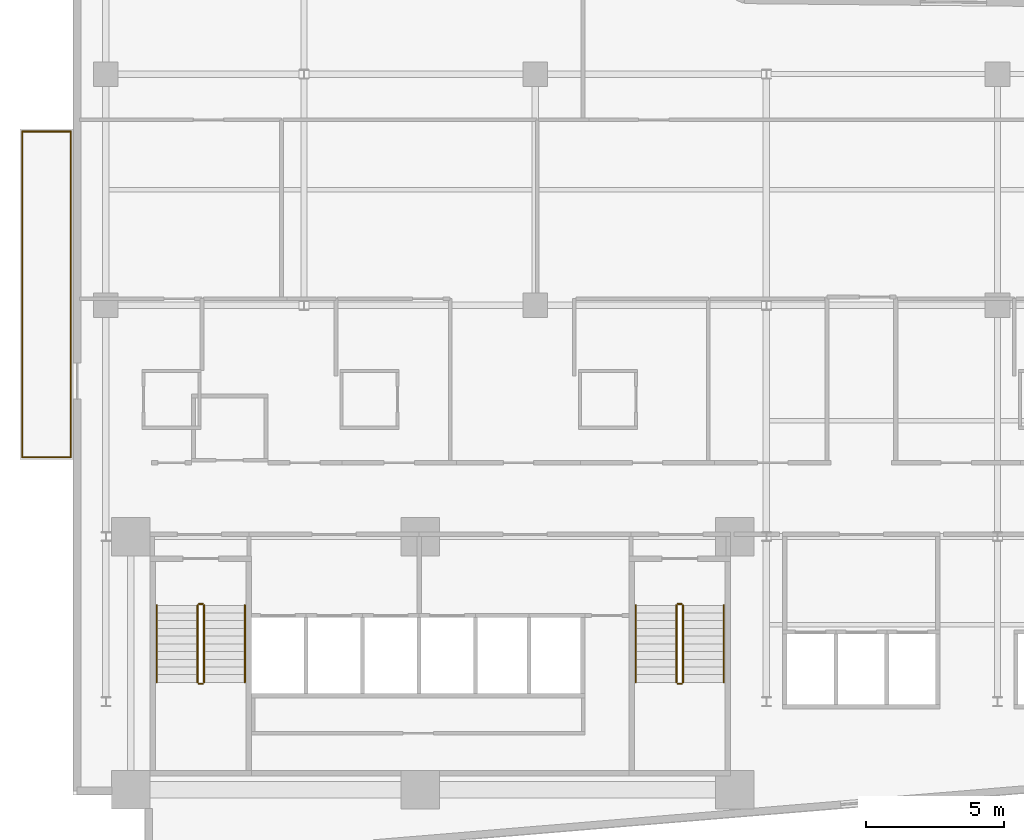
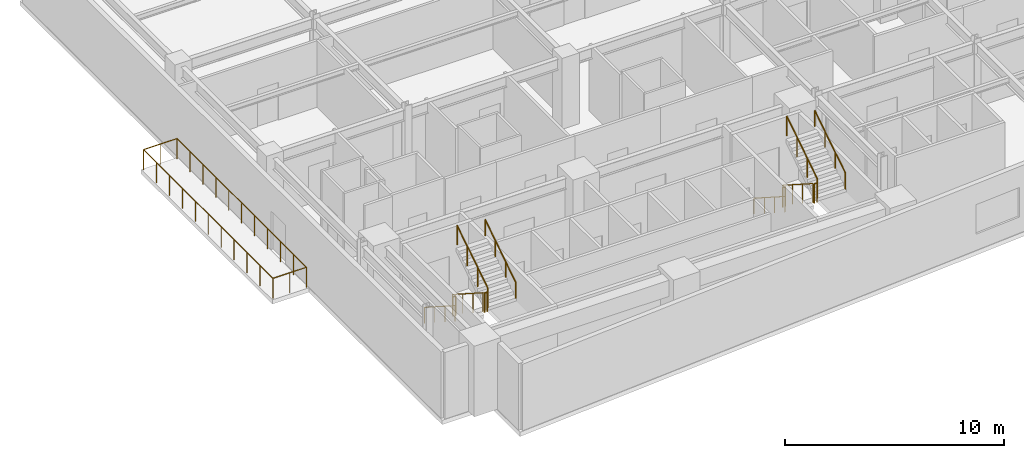
# One storey, part 17 of 20: 16 railings.
"""IFC4 building model written with IfcOpenShell, lengths in metres."""

from ifc_helpers import new_model, si_unit, direction, frame, origin, origin_2d, place, context, subcontext, project, spatial, circle, extrude, material, type_object, element, save


model = new_model("IFC4")

# Units and contexts
model_context = context("Model", 3, precision=1e-05, world=origin(), true_north=direction((0.0, 1.0)))
body_context = subcontext(model_context, "Body", "Model", "MODEL_VIEW")
ifc_project = project(units=[si_unit("LENGTHUNIT", "METRE"), si_unit("AREAUNIT", "SQUARE_METRE"), si_unit("VOLUMEUNIT", "CUBIC_METRE"), si_unit("PLANEANGLEUNIT", "RADIAN"), si_unit("MASSUNIT", "GRAM", prefix="KILO")], contexts=[model_context])

# Site, building, storey
site_placement = place(None, origin())
site = spatial("IfcSite", under=ifc_project, at=site_placement, CompositionType="ELEMENT")
building_placement = place(site_placement, origin())
building = spatial("IfcBuilding", under=site, at=building_placement, Name="Varnakote Quay Hospital", CompositionType="ELEMENT")
storey_placement = place(building_placement, frame((0.0, 0.0, 26.449951171875)))
storey = spatial("IfcBuildingStorey", under=building, at=storey_placement, Name="L06", CompositionType="ELEMENT", Elevation=26.449951171875)

# Railings
ifc_material_1 = material(Name="Anodised aluminium 6063-T6 Bronze", Category="aluminium")
railing_type_1 = type_object("IfcRailingType", Name="RLG-EXT-GUARD-1150", PredefinedType="GUARDRAIL", material=ifc_material_1)
railing_1_placement = place(storey_placement, frame((-0.075927734375, 14.8798828125, 0.0)))
element("IfcRailing", 1, at=railing_1_placement, inside=storey, type_object=railing_type_1, Name="L06 Zigzag Prow Healing Terrace Safety Guard", PredefinedType="GUARDRAIL", context=body_context, shape_type="SweptSolid", body=[
    extrude(circle(Radius=0.02392578125, at=origin_2d()), frame((0.0, 0.0, 1.1259765625), z_axis=(-1.0, 0.0, 0.0), x_axis=(0.0, -1.0, 0.0)), (0.0, 0.0, 1.0), 1.76416015625),
    extrude(circle(Radius=0.02099609375, at=origin_2d()), origin(), (0.0, 0.0, 1.0), 1.101806640625),
    extrude(circle(Radius=0.02099609375, at=origin_2d()), frame((-0.882080078125, 0.0, 0.0)), (0.0, 0.0, 1.0), 1.101806640625),
    extrude(circle(Radius=0.02099609375, at=origin_2d()), frame((-1.76416015625, 0.0, 0.0)), (0.0, 0.0, 1.0), 1.101806640625),
])
railing_2_placement = place(storey_placement, frame((-1.840087890625, 14.8798828125, 0.0)))
element("IfcRailing", 2, at=railing_2_placement, inside=storey, type_object=railing_type_1, Name="L06 Zigzag Prow Healing Terrace Safety Guard", PredefinedType="GUARDRAIL", context=body_context, shape_type="SweptSolid", body=[
    extrude(circle(Radius=0.02392578125, at=origin_2d()), frame((0.0, 0.0, 1.1259765625), z_axis=(0.0, 1.0, 0.0), x_axis=(-1.0, 0.0, 0.0)), (0.0, 0.0, 1.0), 11.840087890625),
    extrude(circle(Radius=0.02099609375, at=origin_2d()), origin(), (0.0, 0.0, 1.0), 1.101806640625),
    extrude(circle(Radius=0.02099609375, at=origin_2d()), frame((0.0, 1.18408203125, 0.0)), (0.0, 0.0, 1.0), 1.101806640625),
    extrude(circle(Radius=0.02099609375, at=origin_2d()), frame((0.0, 2.367919921875, 0.0)), (0.0, 0.0, 1.0), 1.101806640625),
    extrude(circle(Radius=0.02099609375, at=origin_2d()), frame((0.0, 3.552001953125, 0.0)), (0.0, 0.0, 1.0), 1.101806640625),
    extrude(circle(Radius=0.02099609375, at=origin_2d()), frame((0.0, 4.736083984375, 0.0)), (0.0, 0.0, 1.0), 1.101806640625),
    extrude(circle(Radius=0.02099609375, at=origin_2d()), frame((0.0, 5.919921875, 0.0)), (0.0, 0.0, 1.0), 1.101806640625),
    extrude(circle(Radius=0.02099609375, at=origin_2d()), frame((0.0, 7.10400390625, 0.0)), (0.0, 0.0, 1.0), 1.101806640625),
    extrude(circle(Radius=0.02099609375, at=origin_2d()), frame((0.0, 8.2880859375, 0.0)), (0.0, 0.0, 1.0), 1.101806640625),
    extrude(circle(Radius=0.02099609375, at=origin_2d()), frame((0.0, 9.47216796875, 0.0)), (0.0, 0.0, 1.0), 1.101806640625),
    extrude(circle(Radius=0.02099609375, at=origin_2d()), frame((0.0, 10.656005859375, 0.0)), (0.0, 0.0, 1.0), 1.101806640625),
    extrude(circle(Radius=0.02099609375, at=origin_2d()), frame((0.0, 11.840087890625, 0.0)), (0.0, 0.0, 1.0), 1.101806640625),
])
railing_3_placement = place(storey_placement, frame((-1.840087890625, 26.719970703125, 0.0)))
element("IfcRailing", 3, at=railing_3_placement, inside=storey, type_object=railing_type_1, Name="L06 Zigzag Prow Healing Terrace Safety Guard", PredefinedType="GUARDRAIL", context=body_context, shape_type="SweptSolid", body=[
    extrude(circle(Radius=0.02392578125, at=origin_2d()), frame((0.0, 0.0, 1.1259765625), z_axis=(1.0, 0.0, 0.0), x_axis=(0.0, 1.0, 0.0)), (0.0, 0.0, 1.0), 1.76416015625),
    extrude(circle(Radius=0.02099609375, at=origin_2d()), origin(), (0.0, 0.0, 1.0), 1.101806640625),
    extrude(circle(Radius=0.02099609375, at=origin_2d()), frame((0.882080078125, 0.0, 0.0)), (0.0, 0.0, 1.0), 1.101806640625),
    extrude(circle(Radius=0.02099609375, at=origin_2d()), frame((1.76416015625, 0.0, 0.0)), (0.0, 0.0, 1.0), 1.101806640625),
])
railing_4_placement = place(storey_placement, frame((-0.075927734375, 26.719970703125, 0.0)))
element("IfcRailing", 4, at=railing_4_placement, inside=storey, type_object=railing_type_1, Name="L06 Zigzag Prow Healing Terrace Safety Guard", PredefinedType="GUARDRAIL", context=body_context, shape_type="SweptSolid", body=[
    extrude(circle(Radius=0.02392578125, at=origin_2d()), frame((0.0, 0.0, 1.1259765625), z_axis=(0.0, -1.0, 0.0), x_axis=(1.0, 0.0, 0.0)), (0.0, 0.0, 1.0), 11.840087890625),
    extrude(circle(Radius=0.02099609375, at=origin_2d()), origin(), (0.0, 0.0, 1.0), 1.101806640625),
    extrude(circle(Radius=0.02099609375, at=origin_2d()), frame((0.0, -1.18408203125, 0.0)), (0.0, 0.0, 1.0), 1.101806640625),
    extrude(circle(Radius=0.02099609375, at=origin_2d()), frame((0.0, -2.367919921875, 0.0)), (0.0, 0.0, 1.0), 1.101806640625),
    extrude(circle(Radius=0.02099609375, at=origin_2d()), frame((0.0, -3.552001953125, 0.0)), (0.0, 0.0, 1.0), 1.101806640625),
    extrude(circle(Radius=0.02099609375, at=origin_2d()), frame((0.0, -4.736083984375, 0.0)), (0.0, 0.0, 1.0), 1.101806640625),
    extrude(circle(Radius=0.02099609375, at=origin_2d()), frame((0.0, -5.919921875, 0.0)), (0.0, 0.0, 1.0), 1.101806640625),
    extrude(circle(Radius=0.02099609375, at=origin_2d()), frame((0.0, -7.10400390625, 0.0)), (0.0, 0.0, 1.0), 1.101806640625),
    extrude(circle(Radius=0.02099609375, at=origin_2d()), frame((0.0, -8.2880859375, 0.0)), (0.0, 0.0, 1.0), 1.101806640625),
    extrude(circle(Radius=0.02099609375, at=origin_2d()), frame((0.0, -9.47216796875, 0.0)), (0.0, 0.0, 1.0), 1.101806640625),
    extrude(circle(Radius=0.02099609375, at=origin_2d()), frame((0.0, -10.656005859375, 0.0)), (0.0, 0.0, 1.0), 1.101806640625),
    extrude(circle(Radius=0.02099609375, at=origin_2d()), frame((0.0, -11.840087890625, 0.0)), (0.0, 0.0, 1.0), 1.101806640625),
])
ifc_material_2 = material(Name="Brushed stainless steel balustrade", Category="steel")
railing_type_2 = type_object("IfcRailingType", Name="RLG-STAIR-GUARD-1150", PredefinedType="GUARDRAIL", material=ifc_material_2)
railing_5_placement = place(storey_placement, frame((4.530029296875, 9.5, 0.1796875)))
element("IfcRailing", 5, at=railing_5_placement, inside=storey, type_object=railing_type_2, Name="L06 ST-01 stair guard 1", PredefinedType="GUARDRAIL", context=body_context, shape_type="SweptSolid", body=[
    extrude(circle(Radius=0.02392578125, at=origin_2d()), frame((0.0, 0.0, 1.076171875), z_axis=(0.0, -0.841809871826, 0.539774156196), x_axis=(1.0, 0.0, 0.0)), (0.0, 0.0, 1.0), 3.326171875),
    extrude(circle(Radius=0.02099609375, at=origin_2d()), origin(), (0.0, 0.0, 1.0), 1.052001953125),
    extrude(circle(Radius=0.02099609375, at=origin_2d()), frame((0.0, -0.933349609375, 0.598388671875)), (0.0, 0.0, 1.0), 1.052001953125),
    extrude(circle(Radius=0.02099609375, at=origin_2d()), frame((0.0, -1.86669921875, 1.197021484375)), (0.0, 0.0, 1.0), 1.052001953125),
    extrude(circle(Radius=0.02099609375, at=origin_2d()), frame((0.0, -2.800048828125, 1.79541015625)), (0.0, 0.0, 1.0), 1.052001953125),
])
railing_6_placement = place(storey_placement, frame((4.580078125, 6.64990234375, 1.97509765625)))
element("IfcRailing", 6, at=railing_6_placement, inside=storey, type_object=railing_type_2, Name="L06 ST-01 stair guard 2", PredefinedType="GUARDRAIL", context=body_context, shape_type="SweptSolid", body=[
    extrude(circle(Radius=0.02392578125, at=origin_2d()), frame((0.0, 0.0, 1.076171875), z_axis=(1.0, 0.0, 0.0), x_axis=(0.0, 1.0, 0.0)), (0.0, 0.0, 1.0), 0.139892578125),
    extrude(circle(Radius=0.02099609375, at=origin_2d()), origin(), (0.0, 0.0, 1.0), 1.052001953125),
    extrude(circle(Radius=0.02099609375, at=origin_2d()), frame((0.139892578125, 0.0, 0.0)), (0.0, 0.0, 1.0), 1.052001953125),
])
railing_7_placement = place(storey_placement, frame((4.77001953125, 6.699951171875, 2.154541015625)))
element("IfcRailing", 7, at=railing_7_placement, inside=storey, type_object=railing_type_2, Name="L06 ST-01 stair guard 3", PredefinedType="GUARDRAIL", context=body_context, shape_type="SweptSolid", body=[
    extrude(circle(Radius=0.02392578125, at=origin_2d()), frame((0.0, 0.0, 1.076171875), z_axis=(0.0, 0.841809871826, 0.539774156196), x_axis=(-1.0, 0.0, 0.0)), (0.0, 0.0, 1.0), 3.326171875),
    extrude(circle(Radius=0.02099609375, at=origin_2d()), origin(), (0.0, 0.0, 1.0), 1.052001953125),
    extrude(circle(Radius=0.02099609375, at=origin_2d()), frame((0.0, 0.933349609375, 0.598388671875)), (0.0, 0.0, 1.0), 1.052001953125),
    extrude(circle(Radius=0.02099609375, at=origin_2d()), frame((0.0, 1.86669921875, 1.197021484375)), (0.0, 0.0, 1.0), 1.052001953125),
    extrude(circle(Radius=0.02099609375, at=origin_2d()), frame((0.0, 2.800048828125, 1.79541015625)), (0.0, 0.0, 1.0), 1.052001953125),
])
railing_8_placement = place(storey_placement, frame((4.580078125, 9.550048828125, 0.0)))
element("IfcRailing", 8, at=railing_8_placement, inside=storey, type_object=railing_type_2, Name="L06 ST-01 stair guard 4", PredefinedType="GUARDRAIL", context=body_context, shape_type="SweptSolid", body=[
    extrude(circle(Radius=0.02392578125, at=origin_2d()), frame((0.0, 0.0, 1.076171875), z_axis=(1.0, 0.0, 0.0), x_axis=(0.0, 1.0, 0.0)), (0.0, 0.0, 1.0), 0.139892578125),
    extrude(circle(Radius=0.02099609375, at=origin_2d()), origin(), (0.0, 0.0, 1.0), 1.052001953125),
    extrude(circle(Radius=0.02099609375, at=origin_2d()), frame((0.139892578125, 0.0, 0.0)), (0.0, 0.0, 1.0), 1.052001953125),
])
railing_9_placement = place(storey_placement, frame((21.929931640625, 9.5, 0.1796875)))
element("IfcRailing", 9, at=railing_9_placement, inside=storey, type_object=railing_type_2, Name="L06 ST-02 stair guard 1", PredefinedType="GUARDRAIL", context=body_context, shape_type="SweptSolid", body=[
    extrude(circle(Radius=0.02392578125, at=origin_2d()), frame((0.0, 0.0, 1.076171875), z_axis=(0.0, -0.841809871826, 0.539774156196), x_axis=(1.0, 0.0, 0.0)), (0.0, 0.0, 1.0), 3.326171875),
    extrude(circle(Radius=0.02099609375, at=origin_2d()), origin(), (0.0, 0.0, 1.0), 1.052001953125),
    extrude(circle(Radius=0.02099609375, at=origin_2d()), frame((0.0, -0.933349609375, 0.598388671875)), (0.0, 0.0, 1.0), 1.052001953125),
    extrude(circle(Radius=0.02099609375, at=origin_2d()), frame((0.0, -1.86669921875, 1.197021484375)), (0.0, 0.0, 1.0), 1.052001953125),
    extrude(circle(Radius=0.02099609375, at=origin_2d()), frame((0.0, -2.800048828125, 1.79541015625)), (0.0, 0.0, 1.0), 1.052001953125),
])
railing_10_placement = place(storey_placement, frame((21.97998046875, 6.64990234375, 1.97509765625)))
element("IfcRailing", 10, at=railing_10_placement, inside=storey, type_object=railing_type_2, Name="L06 ST-02 stair guard 2", PredefinedType="GUARDRAIL", context=body_context, shape_type="SweptSolid", body=[
    extrude(circle(Radius=0.02392578125, at=origin_2d()), frame((0.0, 0.0, 1.076171875), z_axis=(1.0, 0.0, 0.0), x_axis=(0.0, 1.0, 0.0)), (0.0, 0.0, 1.0), 0.14013671875),
    extrude(circle(Radius=0.02099609375, at=origin_2d()), origin(), (0.0, 0.0, 1.0), 1.052001953125),
    extrude(circle(Radius=0.02099609375, at=origin_2d()), frame((0.14013671875, 0.0, 0.0)), (0.0, 0.0, 1.0), 1.052001953125),
])
railing_11_placement = place(storey_placement, frame((22.169921875, 6.699951171875, 2.154541015625)))
element("IfcRailing", 11, at=railing_11_placement, inside=storey, type_object=railing_type_2, Name="L06 ST-02 stair guard 3", PredefinedType="GUARDRAIL", context=body_context, shape_type="SweptSolid", body=[
    extrude(circle(Radius=0.02392578125, at=origin_2d()), frame((0.0, 0.0, 1.076171875), z_axis=(0.0, 0.841809871826, 0.539774156196), x_axis=(-1.0, 0.0, 0.0)), (0.0, 0.0, 1.0), 3.326171875),
    extrude(circle(Radius=0.02099609375, at=origin_2d()), origin(), (0.0, 0.0, 1.0), 1.052001953125),
    extrude(circle(Radius=0.02099609375, at=origin_2d()), frame((0.0, 0.933349609375, 0.598388671875)), (0.0, 0.0, 1.0), 1.052001953125),
    extrude(circle(Radius=0.02099609375, at=origin_2d()), frame((0.0, 1.86669921875, 1.197021484375)), (0.0, 0.0, 1.0), 1.052001953125),
    extrude(circle(Radius=0.02099609375, at=origin_2d()), frame((0.0, 2.800048828125, 1.79541015625)), (0.0, 0.0, 1.0), 1.052001953125),
])
railing_12_placement = place(storey_placement, frame((21.97998046875, 9.550048828125, 0.0)))
element("IfcRailing", 12, at=railing_12_placement, inside=storey, type_object=railing_type_2, Name="L06 ST-02 stair guard 4", PredefinedType="GUARDRAIL", context=body_context, shape_type="SweptSolid", body=[
    extrude(circle(Radius=0.02392578125, at=origin_2d()), frame((0.0, 0.0, 1.076171875), z_axis=(1.0, 0.0, 0.0), x_axis=(0.0, 1.0, 0.0)), (0.0, 0.0, 1.0), 0.14013671875),
    extrude(circle(Radius=0.02099609375, at=origin_2d()), origin(), (0.0, 0.0, 1.0), 1.052001953125),
    extrude(circle(Radius=0.02099609375, at=origin_2d()), frame((0.14013671875, 0.0, 0.0)), (0.0, 0.0, 1.0), 1.052001953125),
])
ifc_material_3 = material(Name="Brushed stainless steel handrail", Category="steel")
railing_type_3 = type_object("IfcRailingType", Name="RLG-STAIR-HND-920", PredefinedType="HANDRAIL", material=ifc_material_3)
railing_13_placement = place(storey_placement, frame((3.050048828125, 9.5, 0.1796875)))
element("IfcRailing", 13, at=railing_13_placement, inside=storey, type_object=railing_type_3, Name="L06 ST-01 stair handrail 1", PredefinedType="HANDRAIL", context=body_context, shape_type="SweptSolid", body=[
    extrude(circle(Radius=0.02392578125, at=origin_2d()), frame((0.0, 0.0, 0.8759765625), z_axis=(0.0, -0.841809871826, 0.539774156196), x_axis=(1.0, 0.0, 0.0)), (0.0, 0.0, 1.0), 3.326171875),
    extrude(circle(Radius=0.02099609375, at=origin_2d()), origin(), (0.0, 0.0, 1.0), 0.851806640625),
    extrude(circle(Radius=0.02099609375, at=origin_2d()), frame((0.0, -0.933349609375, 0.598388671875)), (0.0, 0.0, 1.0), 0.851806640625),
    extrude(circle(Radius=0.02099609375, at=origin_2d()), frame((0.0, -1.86669921875, 1.197021484375)), (0.0, 0.0, 1.0), 0.851806640625),
    extrude(circle(Radius=0.02099609375, at=origin_2d()), frame((0.0, -2.800048828125, 1.79541015625)), (0.0, 0.0, 1.0), 0.851806640625),
])
railing_14_placement = place(storey_placement, frame((6.25, 6.699951171875, 2.154541015625)))
element("IfcRailing", 14, at=railing_14_placement, inside=storey, type_object=railing_type_3, Name="L06 ST-01 stair handrail 2", PredefinedType="HANDRAIL", context=body_context, shape_type="SweptSolid", body=[
    extrude(circle(Radius=0.02392578125, at=origin_2d()), frame((0.0, 0.0, 0.8759765625), z_axis=(0.0, 0.841809871826, 0.539774156196), x_axis=(-1.0, 0.0, 0.0)), (0.0, 0.0, 1.0), 3.326171875),
    extrude(circle(Radius=0.02099609375, at=origin_2d()), origin(), (0.0, 0.0, 1.0), 0.851806640625),
    extrude(circle(Radius=0.02099609375, at=origin_2d()), frame((0.0, 0.933349609375, 0.598388671875)), (0.0, 0.0, 1.0), 0.851806640625),
    extrude(circle(Radius=0.02099609375, at=origin_2d()), frame((0.0, 1.86669921875, 1.197021484375)), (0.0, 0.0, 1.0), 0.851806640625),
    extrude(circle(Radius=0.02099609375, at=origin_2d()), frame((0.0, 2.800048828125, 1.79541015625)), (0.0, 0.0, 1.0), 0.851806640625),
])
railing_15_placement = place(storey_placement, frame((20.449951171875, 9.5, 0.1796875)))
element("IfcRailing", 15, at=railing_15_placement, inside=storey, type_object=railing_type_3, Name="L06 ST-02 stair handrail 1", PredefinedType="HANDRAIL", context=body_context, shape_type="SweptSolid", body=[
    extrude(circle(Radius=0.02392578125, at=origin_2d()), frame((0.0, 0.0, 0.8759765625), z_axis=(0.0, -0.841809871826, 0.539774156196), x_axis=(1.0, 0.0, 0.0)), (0.0, 0.0, 1.0), 3.326171875),
    extrude(circle(Radius=0.02099609375, at=origin_2d()), origin(), (0.0, 0.0, 1.0), 0.851806640625),
    extrude(circle(Radius=0.02099609375, at=origin_2d()), frame((0.0, -0.933349609375, 0.598388671875)), (0.0, 0.0, 1.0), 0.851806640625),
    extrude(circle(Radius=0.02099609375, at=origin_2d()), frame((0.0, -1.86669921875, 1.197021484375)), (0.0, 0.0, 1.0), 0.851806640625),
    extrude(circle(Radius=0.02099609375, at=origin_2d()), frame((0.0, -2.800048828125, 1.79541015625)), (0.0, 0.0, 1.0), 0.851806640625),
])
railing_16_placement = place(storey_placement, frame((23.64990234375, 6.699951171875, 2.154541015625)))
element("IfcRailing", 16, at=railing_16_placement, inside=storey, type_object=railing_type_3, Name="L06 ST-02 stair handrail 2", PredefinedType="HANDRAIL", context=body_context, shape_type="SweptSolid", body=[
    extrude(circle(Radius=0.02392578125, at=origin_2d()), frame((0.0, 0.0, 0.8759765625), z_axis=(0.0, 0.841809871826, 0.539774156196), x_axis=(-1.0, 0.0, 0.0)), (0.0, 0.0, 1.0), 3.326171875),
    extrude(circle(Radius=0.02099609375, at=origin_2d()), origin(), (0.0, 0.0, 1.0), 0.851806640625),
    extrude(circle(Radius=0.02099609375, at=origin_2d()), frame((0.0, 0.933349609375, 0.598388671875)), (0.0, 0.0, 1.0), 0.851806640625),
    extrude(circle(Radius=0.02099609375, at=origin_2d()), frame((0.0, 1.86669921875, 1.197021484375)), (0.0, 0.0, 1.0), 0.851806640625),
    extrude(circle(Radius=0.02099609375, at=origin_2d()), frame((0.0, 2.800048828125, 1.79541015625)), (0.0, 0.0, 1.0), 0.851806640625),
])

save(model, "model.ifc")
